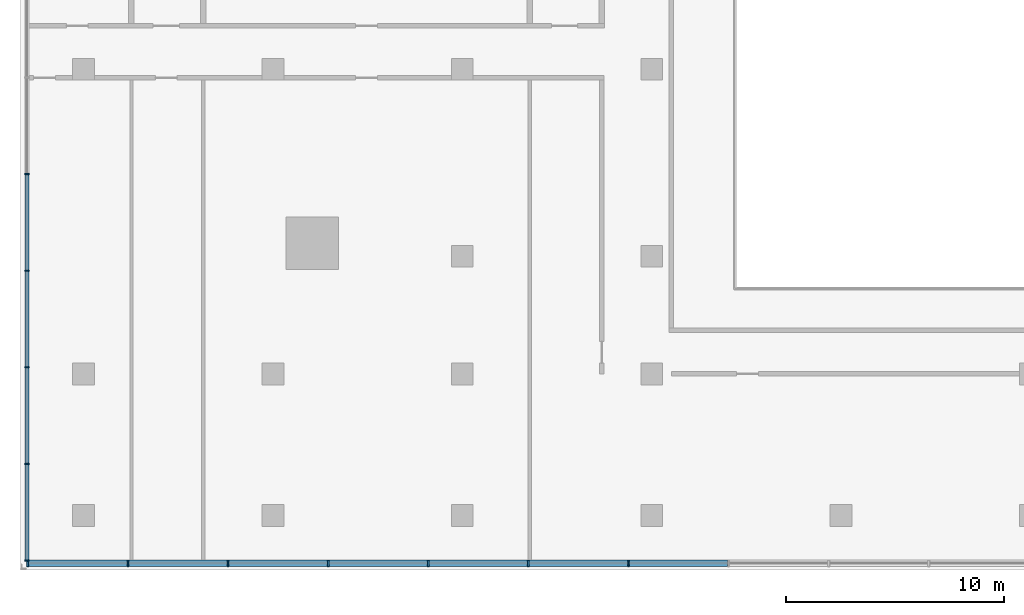
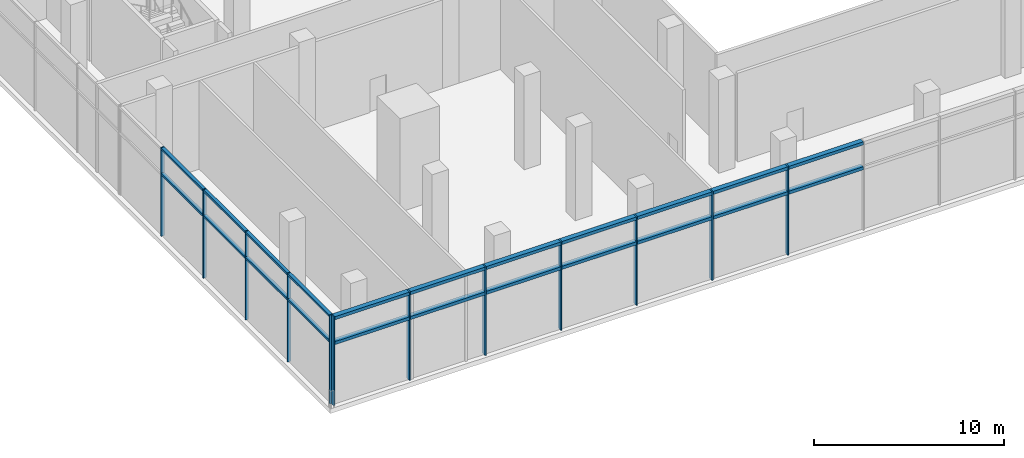
# One storey, part 2 of 22: 34 members, 2 elements without a shape of their own.
"""IFC4 building model written with IfcOpenShell, lengths in metres."""

import ifcopenshell
import ifcopenshell.guid

model = None  # the IFC model being written
_history = None  # IfcOwnerHistory: only IFC2X3 demands one
_inside = {}  # id of a spatial element -> (the spatial element, [elements in it])
_under = {}  # id of a project, library or spatial element -> (it, [spatial elements below it])
_declared = {}  # id of a project -> (the project, [libraries it declares])
_typed = {}  # id of a type object -> (the type object, [elements of that type])
_made_of = {}  # id of a material, layer set ... -> (it, [elements and type objects made of it])


def new_model(schema):
    """Start an empty IFC model of exactly this schema.

    Asked for "IFC4X3", IfcOpenShell would pick the latest addendum, in which some entities
    have other attributes; the version numbers below select the first issue.
    IFC2X3 requires an IfcOwnerHistory on every rooted entity: one is made here for all.
    """
    global model, _history
    if schema == "IFC4X3":
        model = ifcopenshell.file(schema_version=(4, 3, 0, 0))
    else:
        model = ifcopenshell.file(schema=schema)
    _inside.clear()
    _under.clear()
    _declared.clear()
    _typed.clear()
    _made_of.clear()
    _history = None
    if model.schema == "IFC2X3":
        org = make("IfcOrganization", Name="unknown")
        user = make(
            "IfcPersonAndOrganization",
            ThePerson=make("IfcPerson", FamilyName="unknown"),
            TheOrganization=org,
        )
        app = make(
            "IfcApplication",
            ApplicationDeveloper=org,
            Version="unknown",
            ApplicationFullName="unknown",
            ApplicationIdentifier="unknown",
        )
        _history = make(
            "IfcOwnerHistory",
            OwningUser=user,
            OwningApplication=app,
            ChangeAction="ADDED",
            CreationDate=0,
        )
    return model


def make(cls, **values):
    """One entity of the class cls with the attributes given. An attribute that is None is left unset."""
    return model.create_entity(
        cls, **{name: value for name, value in values.items() if value is not None}
    )


def rooted(cls, **values):
    """An entity with a GlobalId (a new one), such as an element, a storey or a relation."""
    return make(cls, GlobalId=ifcopenshell.guid.new(), OwnerHistory=_history, **values)


def si_unit(unit_type, name, prefix=None):
    """IfcSIUnit, for example si_unit("LENGTHUNIT", "METRE", prefix="MILLI")."""
    return make("IfcSIUnit", UnitType=unit_type, Prefix=prefix, Name=name)


def assignment(units):
    """IfcUnitAssignment: the units of a project."""
    return None if units is None else make("IfcUnitAssignment", Units=units)


def point(xyz):
    """IfcCartesianPoint."""
    return None if xyz is None else make("IfcCartesianPoint", Coordinates=xyz)


def direction(xyz):
    """IfcDirection."""
    return None if xyz is None else make("IfcDirection", DirectionRatios=xyz)


def frame(location, z_axis=None, x_axis=None):
    """IfcAxis2Placement3D, a coordinate frame: its origin and axes. An axis left out is left unset."""
    return make(
        "IfcAxis2Placement3D",
        Location=point(location),
        Axis=direction(z_axis),
        RefDirection=direction(x_axis),
    )


def frame_2d(location, x_axis=None):
    """IfcAxis2Placement2D, a coordinate frame in the plane: its origin and x axis."""
    return make(
        "IfcAxis2Placement2D", Location=point(location), RefDirection=direction(x_axis)
    )


def origin():
    """The frame at (0, 0, 0) with its axes left unset."""
    return frame((0.0, 0.0, 0.0))


def origin_2d():
    """The frame at (0, 0) in the plane with its x axis left unset."""
    return frame_2d((0.0, 0.0))


def place(relative_to, where):
    """IfcLocalPlacement: puts the frame where relative to a parent placement (None: the world)."""
    return make(
        "IfcLocalPlacement", PlacementRelTo=relative_to, RelativePlacement=where
    )


def context(
    kind, dimensions, precision=None, world=None, true_north=None, identifier=None
):
    """IfcGeometricRepresentationContext, for example the 3D "Model" context."""
    return make(
        "IfcGeometricRepresentationContext",
        ContextIdentifier=identifier,
        ContextType=kind,
        CoordinateSpaceDimension=dimensions,
        Precision=precision,
        WorldCoordinateSystem=world,
        TrueNorth=true_north,
    )


def subcontext(parent, identifier, kind, view, scale=None):
    """IfcGeometricRepresentationSubContext, for example "Body" below "Model"."""
    return make(
        "IfcGeometricRepresentationSubContext",
        ContextIdentifier=identifier,
        ContextType=kind,
        ParentContext=parent,
        TargetScale=scale,
        TargetView=view,
    )


def project(units=None, contexts=None):
    """IfcProject with its units and contexts."""
    return rooted(
        "IfcProject",
        Name="project",
        RepresentationContexts=contexts,
        UnitsInContext=assignment(units),
    )


def spatial(cls, under=None, at=None, **own):
    """A site, building, storey or space (cls), placed at a placement, below another one or the project."""
    s = rooted(cls, ObjectPlacement=at, **own)
    if under is not None:
        _under.setdefault(under.id(), (under, []))[1].append(s)
    return s


def profile(cls, at=None, kind="AREA", **sizes):
    """A parametric profile (cls). Its sizes go by their IFC names, for example OverallWidth=200.0."""
    return make(cls, ProfileType=kind, Position=at, **sizes)


def rectangle(**sizes):
    """IfcRectangleProfileDef."""
    return profile("IfcRectangleProfileDef", **sizes)


def extrude(swept, where, along, depth):
    """IfcExtrudedAreaSolid: the profile swept, set in the frame where, extruded along a direction by depth."""
    return make(
        "IfcExtrudedAreaSolid",
        SweptArea=swept,
        Position=where,
        ExtrudedDirection=direction(along),
        Depth=depth,
    )


def shape(context_of_items, identifier, shape_type, items):
    """IfcShapeRepresentation: the items that make up one representation, for example the "Body"."""
    return make(
        "IfcShapeRepresentation",
        ContextOfItems=context_of_items,
        RepresentationIdentifier=identifier,
        RepresentationType=shape_type,
        Items=items,
    )


def material(Name=None, Category=None):
    """IfcMaterial."""
    return make("IfcMaterial", Name=Name, Category=Category)


def material_profile(
    of_material, cross_section, Name=None, Category=None, Priority=None
):
    """IfcMaterialProfile: a cross section and its material."""
    return make(
        "IfcMaterialProfile",
        Name=Name,
        Material=of_material,
        Profile=cross_section,
        Priority=Priority,
        Category=Category,
    )


def profile_set(profiles, Name=None, composite=None):
    """IfcMaterialProfileSet."""
    return make(
        "IfcMaterialProfileSet",
        Name=Name,
        MaterialProfiles=profiles,
        CompositeProfile=composite,
    )


def made_of(thing, what):
    """Note that an element or type object is made of a material, layer set ...; save() writes the relation."""
    if what is not None:
        _made_of.setdefault(what.id(), (what, []))[1].append(thing)
    return thing


def type_object(cls, material=None, **own):
    """A type object (cls), such as IfcWallType, which elements share."""
    return made_of(rooted(cls, **own), material)


def element(
    cls,
    number,
    at=None,
    inside=None,
    cuts=None,
    type_object=None,
    material=None,
    context=None,
    identifier="Body",
    shape_type=None,
    held_by="IfcProductDefinitionShape",
    body=None,
    shapes=None,
    **own,
):
    """One element of the class cls, such as IfcWall. Its Tag is "e" and its number.

    at: its placement. inside: the storey or other place that contains it. cuts: it is an
    opening in that element (IfcRelVoidsElement). A single representation is given by context,
    identifier, shape_type and body (its items); several are given by shapes. held_by: the class
    of the entity that holds the representations. save() writes the other relations.
    """
    e = rooted(cls, Tag="e%d" % number, ObjectPlacement=at, **own)
    if body is not None:
        shapes = [shape(context, identifier, shape_type, body)]
    if shapes is not None:
        e.Representation = make(held_by, Representations=shapes)
    if inside is not None:
        _inside.setdefault(inside.id(), (inside, []))[1].append(e)
    if cuts is not None:
        rooted(
            "IfcRelVoidsElement", RelatingBuildingElement=cuts, RelatedOpeningElement=e
        )
    if type_object is not None:
        _typed.setdefault(type_object.id(), (type_object, []))[1].append(e)
    return made_of(e, material)


def aggregate(whole, parts):
    """IfcRelAggregates: a whole, such as a stair, and the parts it consists of."""
    return rooted("IfcRelAggregates", RelatingObject=whole, RelatedObjects=parts)


def save(model, path):
    """Write the relations noted so far, then the file.

    IfcRelAggregates (storeys below a building ...), IfcRelContainedInSpatialStructure (elements
    in a storey), IfcRelDefinesByType, IfcRelAssociatesMaterial and IfcRelDeclares: one each for
    every whole, place, type object, material and project.
    """
    for whole, parts in _under.values():
        aggregate(whole, parts)
    for where, things in _inside.values():
        rooted(
            "IfcRelContainedInSpatialStructure",
            RelatedElements=things,
            RelatingStructure=where,
        )
    for kind, things in _typed.values():
        rooted("IfcRelDefinesByType", RelatedObjects=things, RelatingType=kind)
    for what, things in _made_of.values():
        rooted("IfcRelAssociatesMaterial", RelatedObjects=things, RelatingMaterial=what)
    for by, libraries in _declared.values():
        rooted("IfcRelDeclares", RelatingContext=by, RelatedDefinitions=libraries)
    model.write(path)


model = new_model("IFC4")

# Units and contexts
model_context = context("Model", 3, precision=1e-05, world=origin(), true_north=direction((0.0, 1.0)))
body_context = subcontext(model_context, "Body", "Model", "MODEL_VIEW")
ifc_project = project(units=[si_unit("LENGTHUNIT", "METRE"), si_unit("AREAUNIT", "SQUARE_METRE"), si_unit("VOLUMEUNIT", "CUBIC_METRE"), si_unit("PLANEANGLEUNIT", "RADIAN"), si_unit("MASSUNIT", "GRAM", prefix="KILO")], contexts=[model_context])

# Site, building, storey
site_placement = place(None, origin())
site = spatial("IfcSite", under=ifc_project, at=site_placement, CompositionType="ELEMENT")
building_placement = place(site_placement, origin())
building = spatial("IfcBuilding", under=site, at=building_placement, Name="Bicima Exchange Tower", CompositionType="ELEMENT")
storey_placement = place(building_placement, frame((0.0, 0.0, 14.0)))
storey = spatial("IfcBuildingStorey", under=building, at=storey_placement, Name="L02", CompositionType="ELEMENT", Elevation=14.0)

# Curtain wall, members
ifc_material_1 = material(Name="Stainless steel", Category="steel")
curtain_wall_type_1 = type_object("IfcCurtainWallType", Name="Hall structural glazing", PredefinedType="NOTDEFINED", material=ifc_material_1)
curtain_wall_1_placement = place(storey_placement, origin())
curtain_wall_1 = element("IfcCurtainWall", 1, at=curtain_wall_1_placement, inside=storey, type_object=curtain_wall_type_1, Name="Podium glazing L02 south 1", PredefinedType="NOTDEFINED")
ifc_material_profile_1 = material_profile(ifc_material_1, rectangle(XDim=0.300048828125, YDim=0.080078125, at=origin_2d()))
ifc_profile_set_1 = profile_set([ifc_material_profile_1], Name="Stainless steel")
member_type_1 = type_object("IfcMemberType", Name="Hall structural glazing mullion 80 x 300", PredefinedType="MULLION", material=ifc_profile_set_1)
member_1_placement = place(storey_placement, frame((-46.06005859375, -53.699951171875, 0.0), z_axis=(0.0, 0.0, 1.0), x_axis=(0.0, 1.0, 0.0)))
member_1 = element("IfcMember", 2, at=member_1_placement, type_object=member_type_1, Name="Hall structural glazing mullion 1", PredefinedType="MULLION", context=body_context, shape_type="SweptSolid", body=[
    extrude(rectangle(XDim=0.300048828125, YDim=0.080078125, at=origin_2d()), origin(), (0.0, 0.0, 1.0), 5.699951171875),
])
member_2_placement = place(storey_placement, frame((-41.46142578125, -53.699951171875, 0.0), z_axis=(0.0, 0.0, 1.0), x_axis=(0.0, 1.0, 0.0)))
member_2 = element("IfcMember", 3, at=member_2_placement, type_object=member_type_1, Name="Hall structural glazing mullion 2", PredefinedType="MULLION", context=body_context, shape_type="SweptSolid", body=[
    extrude(rectangle(XDim=0.300048828125, YDim=0.080078125, at=origin_2d()), origin(), (0.0, 0.0, 1.0), 5.699951171875),
])
member_3_placement = place(storey_placement, frame((-36.863037109375, -53.699951171875, 0.0), z_axis=(0.0, 0.0, 1.0), x_axis=(0.0, 1.0, 0.0)))
member_3 = element("IfcMember", 4, at=member_3_placement, type_object=member_type_1, Name="Hall structural glazing mullion 3", PredefinedType="MULLION", context=body_context, shape_type="SweptSolid", body=[
    extrude(rectangle(XDim=0.300048828125, YDim=0.080078125, at=origin_2d()), origin(), (0.0, 0.0, 1.0), 5.699951171875),
])
member_4_placement = place(storey_placement, frame((-32.264404296875, -53.699951171875, 0.0), z_axis=(0.0, 0.0, 1.0), x_axis=(0.0, 1.0, 0.0)))
member_4 = element("IfcMember", 5, at=member_4_placement, type_object=member_type_1, Name="Hall structural glazing mullion 4", PredefinedType="MULLION", context=body_context, shape_type="SweptSolid", body=[
    extrude(rectangle(XDim=0.300048828125, YDim=0.080078125, at=origin_2d()), origin(), (0.0, 0.0, 1.0), 5.699951171875),
])
member_5_placement = place(storey_placement, frame((-27.666015625, -53.699951171875, 0.0), z_axis=(0.0, 0.0, 1.0), x_axis=(0.0, 1.0, 0.0)))
member_5 = element("IfcMember", 6, at=member_5_placement, type_object=member_type_1, Name="Hall structural glazing mullion 5", PredefinedType="MULLION", context=body_context, shape_type="SweptSolid", body=[
    extrude(rectangle(XDim=0.300048828125, YDim=0.080078125, at=origin_2d()), origin(), (0.0, 0.0, 1.0), 5.699951171875),
])
member_6_placement = place(storey_placement, frame((-23.0673828125, -53.699951171875, 0.0), z_axis=(0.0, 0.0, 1.0), x_axis=(0.0, 1.0, 0.0)))
member_6 = element("IfcMember", 7, at=member_6_placement, type_object=member_type_1, Name="Hall structural glazing mullion 6", PredefinedType="MULLION", context=body_context, shape_type="SweptSolid", body=[
    extrude(rectangle(XDim=0.300048828125, YDim=0.080078125, at=origin_2d()), origin(), (0.0, 0.0, 1.0), 5.699951171875),
])
member_7_placement = place(storey_placement, frame((-18.468994140625, -53.699951171875, 0.0), z_axis=(0.0, 0.0, 1.0), x_axis=(0.0, 1.0, 0.0)))
member_7 = element("IfcMember", 8, at=member_7_placement, type_object=member_type_1, Name="Hall structural glazing mullion 7", PredefinedType="MULLION", context=body_context, shape_type="SweptSolid", body=[
    extrude(rectangle(XDim=0.300048828125, YDim=0.080078125, at=origin_2d()), origin(), (0.0, 0.0, 1.0), 5.699951171875),
])
ifc_material_profile_2 = material_profile(ifc_material_1, rectangle(XDim=0.300048828125, YDim=0.199951171875, at=origin_2d()))
ifc_profile_set_2 = profile_set([ifc_material_profile_2], Name="Stainless steel")
member_type_2 = type_object("IfcMemberType", Name="Hall structural glazing transom 200 x 300", PredefinedType="USERDEFINED", material=ifc_profile_set_2)
member_8_placement = place(storey_placement, frame((-46.02001953125, -53.699951171875, 4.0), z_axis=(1.0, 0.0, 0.0), x_axis=(0.0, 1.0, 0.0)))
member_8 = element("IfcMember", 9, at=member_8_placement, type_object=member_type_2, Name="Hall structural glazing transom 1.1", ObjectType="TRANSOM", PredefinedType="USERDEFINED", context=body_context, shape_type="SweptSolid", body=[
    extrude(rectangle(XDim=0.300048828125, YDim=0.199951171875, at=origin_2d()), origin(), (0.0, 0.0, 1.0), 4.5185546875),
])
member_9_placement = place(storey_placement, frame((-46.02001953125, -53.699951171875, 5.60009765625), z_axis=(1.0, 0.0, 0.0), x_axis=(0.0, 1.0, 0.0)))
member_9 = element("IfcMember", 10, at=member_9_placement, type_object=member_type_2, Name="Hall structural glazing transom 1.2", ObjectType="TRANSOM", PredefinedType="USERDEFINED", context=body_context, shape_type="SweptSolid", body=[
    extrude(rectangle(XDim=0.300048828125, YDim=0.199951171875, at=origin_2d()), origin(), (0.0, 0.0, 1.0), 4.5185546875),
])
member_10_placement = place(storey_placement, frame((-41.42138671875, -53.699951171875, 4.0), z_axis=(1.0, 0.0, 0.0), x_axis=(0.0, 1.0, 0.0)))
member_10 = element("IfcMember", 11, at=member_10_placement, type_object=member_type_2, Name="Hall structural glazing transom 2.1", ObjectType="TRANSOM", PredefinedType="USERDEFINED", context=body_context, shape_type="SweptSolid", body=[
    extrude(rectangle(XDim=0.300048828125, YDim=0.199951171875, at=origin_2d()), origin(), (0.0, 0.0, 1.0), 4.518310546875),
])
member_11_placement = place(storey_placement, frame((-41.42138671875, -53.699951171875, 5.60009765625), z_axis=(1.0, 0.0, 0.0), x_axis=(0.0, 1.0, 0.0)))
member_11 = element("IfcMember", 12, at=member_11_placement, type_object=member_type_2, Name="Hall structural glazing transom 2.2", ObjectType="TRANSOM", PredefinedType="USERDEFINED", context=body_context, shape_type="SweptSolid", body=[
    extrude(rectangle(XDim=0.300048828125, YDim=0.199951171875, at=origin_2d()), origin(), (0.0, 0.0, 1.0), 4.518310546875),
])
member_12_placement = place(storey_placement, frame((-36.822998046875, -53.699951171875, 4.0), z_axis=(1.0, 0.0, 0.0), x_axis=(0.0, 1.0, 0.0)))
member_12 = element("IfcMember", 13, at=member_12_placement, type_object=member_type_2, Name="Hall structural glazing transom 3.1", ObjectType="TRANSOM", PredefinedType="USERDEFINED", context=body_context, shape_type="SweptSolid", body=[
    extrude(rectangle(XDim=0.300048828125, YDim=0.199951171875, at=origin_2d()), origin(), (0.0, 0.0, 1.0), 4.5185546875),
])
member_13_placement = place(storey_placement, frame((-36.822998046875, -53.699951171875, 5.60009765625), z_axis=(1.0, 0.0, 0.0), x_axis=(0.0, 1.0, 0.0)))
member_13 = element("IfcMember", 14, at=member_13_placement, type_object=member_type_2, Name="Hall structural glazing transom 3.2", ObjectType="TRANSOM", PredefinedType="USERDEFINED", context=body_context, shape_type="SweptSolid", body=[
    extrude(rectangle(XDim=0.300048828125, YDim=0.199951171875, at=origin_2d()), origin(), (0.0, 0.0, 1.0), 4.5185546875),
])
member_14_placement = place(storey_placement, frame((-32.224609375, -53.699951171875, 4.0), z_axis=(1.0, 0.0, 0.0), x_axis=(0.0, 1.0, 0.0)))
member_14 = element("IfcMember", 15, at=member_14_placement, type_object=member_type_2, Name="Hall structural glazing transom 4.1", ObjectType="TRANSOM", PredefinedType="USERDEFINED", context=body_context, shape_type="SweptSolid", body=[
    extrude(rectangle(XDim=0.300048828125, YDim=0.199951171875, at=origin_2d()), origin(), (0.0, 0.0, 1.0), 4.5185546875),
])
member_15_placement = place(storey_placement, frame((-32.224609375, -53.699951171875, 5.60009765625), z_axis=(1.0, 0.0, 0.0), x_axis=(0.0, 1.0, 0.0)))
member_15 = element("IfcMember", 16, at=member_15_placement, type_object=member_type_2, Name="Hall structural glazing transom 4.2", ObjectType="TRANSOM", PredefinedType="USERDEFINED", context=body_context, shape_type="SweptSolid", body=[
    extrude(rectangle(XDim=0.300048828125, YDim=0.199951171875, at=origin_2d()), origin(), (0.0, 0.0, 1.0), 4.5185546875),
])
member_16_placement = place(storey_placement, frame((-27.6259765625, -53.699951171875, 4.0), z_axis=(1.0, 0.0, 0.0), x_axis=(0.0, 1.0, 0.0)))
member_16 = element("IfcMember", 17, at=member_16_placement, type_object=member_type_2, Name="Hall structural glazing transom 5.1", ObjectType="TRANSOM", PredefinedType="USERDEFINED", context=body_context, shape_type="SweptSolid", body=[
    extrude(rectangle(XDim=0.300048828125, YDim=0.199951171875, at=origin_2d()), origin(), (0.0, 0.0, 1.0), 4.5185546875),
])
member_17_placement = place(storey_placement, frame((-27.6259765625, -53.699951171875, 5.60009765625), z_axis=(1.0, 0.0, 0.0), x_axis=(0.0, 1.0, 0.0)))
member_17 = element("IfcMember", 18, at=member_17_placement, type_object=member_type_2, Name="Hall structural glazing transom 5.2", ObjectType="TRANSOM", PredefinedType="USERDEFINED", context=body_context, shape_type="SweptSolid", body=[
    extrude(rectangle(XDim=0.300048828125, YDim=0.199951171875, at=origin_2d()), origin(), (0.0, 0.0, 1.0), 4.5185546875),
])
member_18_placement = place(storey_placement, frame((-23.027587890625, -53.699951171875, 4.0), z_axis=(1.0, 0.0, 0.0), x_axis=(0.0, 1.0, 0.0)))
member_18 = element("IfcMember", 19, at=member_18_placement, type_object=member_type_2, Name="Hall structural glazing transom 6.1", ObjectType="TRANSOM", PredefinedType="USERDEFINED", context=body_context, shape_type="SweptSolid", body=[
    extrude(rectangle(XDim=0.300048828125, YDim=0.199951171875, at=origin_2d()), origin(), (0.0, 0.0, 1.0), 4.5185546875),
])
member_19_placement = place(storey_placement, frame((-23.027587890625, -53.699951171875, 5.60009765625), z_axis=(1.0, 0.0, 0.0), x_axis=(0.0, 1.0, 0.0)))
member_19 = element("IfcMember", 20, at=member_19_placement, type_object=member_type_2, Name="Hall structural glazing transom 6.2", ObjectType="TRANSOM", PredefinedType="USERDEFINED", context=body_context, shape_type="SweptSolid", body=[
    extrude(rectangle(XDim=0.300048828125, YDim=0.199951171875, at=origin_2d()), origin(), (0.0, 0.0, 1.0), 4.5185546875),
])
member_20_placement = place(storey_placement, frame((-18.428955078125, -53.699951171875, 4.0), z_axis=(1.0, 0.0, 0.0), x_axis=(0.0, 1.0, 0.0)))
member_20 = element("IfcMember", 21, at=member_20_placement, type_object=member_type_2, Name="Hall structural glazing transom 7.1", ObjectType="TRANSOM", PredefinedType="USERDEFINED", context=body_context, shape_type="SweptSolid", body=[
    extrude(rectangle(XDim=0.300048828125, YDim=0.199951171875, at=origin_2d()), origin(), (0.0, 0.0, 1.0), 4.5185546875),
])
member_21_placement = place(storey_placement, frame((-18.428955078125, -53.699951171875, 5.60009765625), z_axis=(1.0, 0.0, 0.0), x_axis=(0.0, 1.0, 0.0)))
member_21 = element("IfcMember", 22, at=member_21_placement, type_object=member_type_2, Name="Hall structural glazing transom 7.2", ObjectType="TRANSOM", PredefinedType="USERDEFINED", context=body_context, shape_type="SweptSolid", body=[
    extrude(rectangle(XDim=0.300048828125, YDim=0.199951171875, at=origin_2d()), origin(), (0.0, 0.0, 1.0), 4.5185546875),
])
aggregate(curtain_wall_1, [member_1, member_2, member_3, member_4, member_5, member_6, member_7, member_8, member_9, member_10, member_11, member_12, member_13, member_14, member_15, member_16, member_17, member_18, member_19, member_20, member_21])

ifc_material_2 = material(Name="Anodised bronze aluminium", Category="aluminium")
curtain_wall_type_2 = type_object("IfcCurtainWallType", Name="Lobby glazing", PredefinedType="NOTDEFINED", material=ifc_material_2)
curtain_wall_2_placement = place(storey_placement, origin())
curtain_wall_2 = element("IfcCurtainWall", 23, at=curtain_wall_2_placement, inside=storey, type_object=curtain_wall_type_2, Name="Podium glazing L02 west 1", PredefinedType="NOTDEFINED")
ifc_material_profile_3 = material_profile(ifc_material_2, rectangle(XDim=0.199951171875, YDim=0.06005859375, at=origin_2d()))
ifc_profile_set_3 = profile_set([ifc_material_profile_3], Name="Anodised bronze aluminium")
member_type_3 = type_object("IfcMemberType", Name="Lobby glazing mullion 60 x 200", PredefinedType="MULLION", material=ifc_profile_set_3)
member_22_placement = place(storey_placement, frame((-46.10009765625, -35.8232421875, 0.0), z_axis=(0.0, 0.0, 1.0), x_axis=(1.0, 0.0, 0.0)))
member_22 = element("IfcMember", 24, at=member_22_placement, type_object=member_type_3, Name="Lobby glazing mullion 9", PredefinedType="MULLION", context=body_context, shape_type="SweptSolid", body=[
    extrude(rectangle(XDim=0.199951171875, YDim=0.06005859375, at=origin_2d()), origin(), (0.0, 0.0, 1.0), 5.699951171875),
])
member_23_placement = place(storey_placement, frame((-46.10009765625, -40.260009765625, 0.0), z_axis=(0.0, 0.0, 1.0), x_axis=(1.0, 0.0, 0.0)))
member_23 = element("IfcMember", 25, at=member_23_placement, type_object=member_type_3, Name="Lobby glazing mullion 10", PredefinedType="MULLION", context=body_context, shape_type="SweptSolid", body=[
    extrude(rectangle(XDim=0.199951171875, YDim=0.06005859375, at=origin_2d()), origin(), (0.0, 0.0, 1.0), 5.699951171875),
])
member_24_placement = place(storey_placement, frame((-46.10009765625, -44.69677734375, 0.0), z_axis=(0.0, 0.0, 1.0), x_axis=(1.0, 0.0, 0.0)))
member_24 = element("IfcMember", 26, at=member_24_placement, type_object=member_type_3, Name="Lobby glazing mullion 11", PredefinedType="MULLION", context=body_context, shape_type="SweptSolid", body=[
    extrude(rectangle(XDim=0.199951171875, YDim=0.06005859375, at=origin_2d()), origin(), (0.0, 0.0, 1.0), 5.699951171875),
])
member_25_placement = place(storey_placement, frame((-46.10009765625, -49.13330078125, 0.0), z_axis=(0.0, 0.0, 1.0), x_axis=(1.0, 0.0, 0.0)))
member_25 = element("IfcMember", 27, at=member_25_placement, type_object=member_type_3, Name="Lobby glazing mullion 12", PredefinedType="MULLION", context=body_context, shape_type="SweptSolid", body=[
    extrude(rectangle(XDim=0.199951171875, YDim=0.06005859375, at=origin_2d()), origin(), (0.0, 0.0, 1.0), 5.699951171875),
])
member_26_placement = place(storey_placement, frame((-46.10009765625, -53.570068359375, 0.0), z_axis=(0.0, 0.0, 1.0), x_axis=(1.0, 0.0, 0.0)))
member_26 = element("IfcMember", 28, at=member_26_placement, type_object=member_type_3, Name="Lobby glazing mullion 13", PredefinedType="MULLION", context=body_context, shape_type="SweptSolid", body=[
    extrude(rectangle(XDim=0.199951171875, YDim=0.06005859375, at=origin_2d()), origin(), (0.0, 0.0, 1.0), 5.699951171875),
])
ifc_material_profile_4 = material_profile(ifc_material_2, rectangle(XDim=0.199951171875, YDim=0.139892578125, at=origin_2d()))
ifc_profile_set_4 = profile_set([ifc_material_profile_4], Name="Anodised bronze aluminium")
member_type_4 = type_object("IfcMemberType", Name="Lobby glazing transom 140 x 200", PredefinedType="USERDEFINED", material=ifc_profile_set_4)
member_27_placement = place(storey_placement, frame((-46.10009765625, -35.853271484375, 4.0), z_axis=(0.0, -1.0, 0.0), x_axis=(1.0, 0.0, 0.0)))
member_27 = element("IfcMember", 29, at=member_27_placement, type_object=member_type_4, Name="Lobby glazing transom 9.1", ObjectType="TRANSOM", PredefinedType="USERDEFINED", context=body_context, shape_type="SweptSolid", body=[
    extrude(rectangle(XDim=0.199951171875, YDim=0.139892578125, at=origin_2d()), origin(), (0.0, 0.0, 1.0), 4.376708984375),
])
member_28_placement = place(storey_placement, frame((-46.10009765625, -35.853271484375, 5.6298828125), z_axis=(0.0, -1.0, 0.0), x_axis=(1.0, 0.0, 0.0)))
member_28 = element("IfcMember", 30, at=member_28_placement, type_object=member_type_4, Name="Lobby glazing transom 9.2", ObjectType="TRANSOM", PredefinedType="USERDEFINED", context=body_context, shape_type="SweptSolid", body=[
    extrude(rectangle(XDim=0.199951171875, YDim=0.139892578125, at=origin_2d()), origin(), (0.0, 0.0, 1.0), 4.376708984375),
])
member_29_placement = place(storey_placement, frame((-46.10009765625, -40.2900390625, 4.0), z_axis=(0.0, -1.0, 0.0), x_axis=(1.0, 0.0, 0.0)))
member_29 = element("IfcMember", 31, at=member_29_placement, type_object=member_type_4, Name="Lobby glazing transom 10.1", ObjectType="TRANSOM", PredefinedType="USERDEFINED", context=body_context, shape_type="SweptSolid", body=[
    extrude(rectangle(XDim=0.199951171875, YDim=0.139892578125, at=origin_2d()), origin(), (0.0, 0.0, 1.0), 4.376708984375),
])
member_30_placement = place(storey_placement, frame((-46.10009765625, -40.2900390625, 5.6298828125), z_axis=(0.0, -1.0, 0.0), x_axis=(1.0, 0.0, 0.0)))
member_30 = element("IfcMember", 32, at=member_30_placement, type_object=member_type_4, Name="Lobby glazing transom 10.2", ObjectType="TRANSOM", PredefinedType="USERDEFINED", context=body_context, shape_type="SweptSolid", body=[
    extrude(rectangle(XDim=0.199951171875, YDim=0.139892578125, at=origin_2d()), origin(), (0.0, 0.0, 1.0), 4.376708984375),
])
member_31_placement = place(storey_placement, frame((-46.10009765625, -44.726806640625, 4.0), z_axis=(0.0, -1.0, 0.0), x_axis=(1.0, 0.0, 0.0)))
member_31 = element("IfcMember", 33, at=member_31_placement, type_object=member_type_4, Name="Lobby glazing transom 11.1", ObjectType="TRANSOM", PredefinedType="USERDEFINED", context=body_context, shape_type="SweptSolid", body=[
    extrude(rectangle(XDim=0.199951171875, YDim=0.139892578125, at=origin_2d()), origin(), (0.0, 0.0, 1.0), 4.37646484375),
])
member_32_placement = place(storey_placement, frame((-46.10009765625, -44.726806640625, 5.6298828125), z_axis=(0.0, -1.0, 0.0), x_axis=(1.0, 0.0, 0.0)))
member_32 = element("IfcMember", 34, at=member_32_placement, type_object=member_type_4, Name="Lobby glazing transom 11.2", ObjectType="TRANSOM", PredefinedType="USERDEFINED", context=body_context, shape_type="SweptSolid", body=[
    extrude(rectangle(XDim=0.199951171875, YDim=0.139892578125, at=origin_2d()), origin(), (0.0, 0.0, 1.0), 4.37646484375),
])
member_33_placement = place(storey_placement, frame((-46.10009765625, -49.163330078125, 4.0), z_axis=(0.0, -1.0, 0.0), x_axis=(1.0, 0.0, 0.0)))
member_33 = element("IfcMember", 35, at=member_33_placement, type_object=member_type_4, Name="Lobby glazing transom 12.1", ObjectType="TRANSOM", PredefinedType="USERDEFINED", context=body_context, shape_type="SweptSolid", body=[
    extrude(rectangle(XDim=0.199951171875, YDim=0.139892578125, at=origin_2d()), origin(), (0.0, 0.0, 1.0), 4.376708984375),
])
member_34_placement = place(storey_placement, frame((-46.10009765625, -49.163330078125, 5.6298828125), z_axis=(0.0, -1.0, 0.0), x_axis=(1.0, 0.0, 0.0)))
member_34 = element("IfcMember", 36, at=member_34_placement, type_object=member_type_4, Name="Lobby glazing transom 12.2", ObjectType="TRANSOM", PredefinedType="USERDEFINED", context=body_context, shape_type="SweptSolid", body=[
    extrude(rectangle(XDim=0.199951171875, YDim=0.139892578125, at=origin_2d()), origin(), (0.0, 0.0, 1.0), 4.376708984375),
])
aggregate(curtain_wall_2, [member_22, member_23, member_24, member_25, member_26, member_27, member_28, member_29, member_30, member_31, member_32, member_33, member_34])

save(model, "model.ifc")
